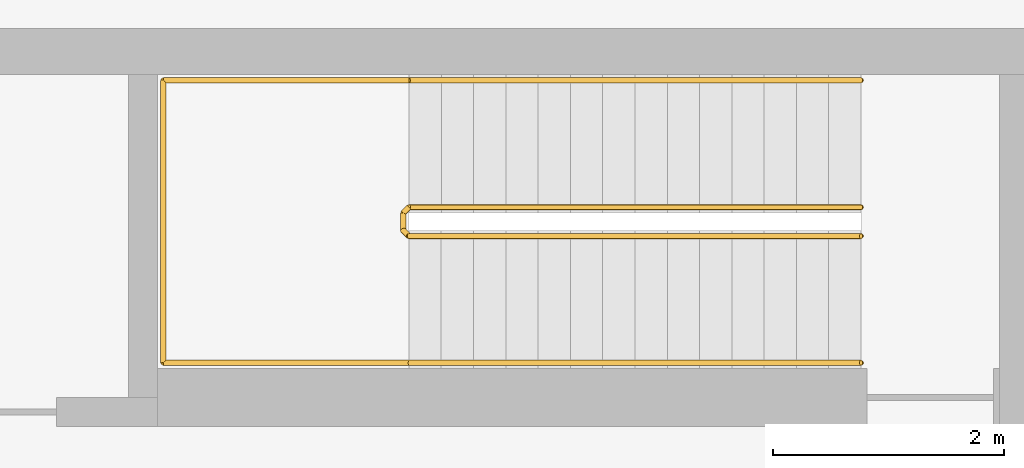
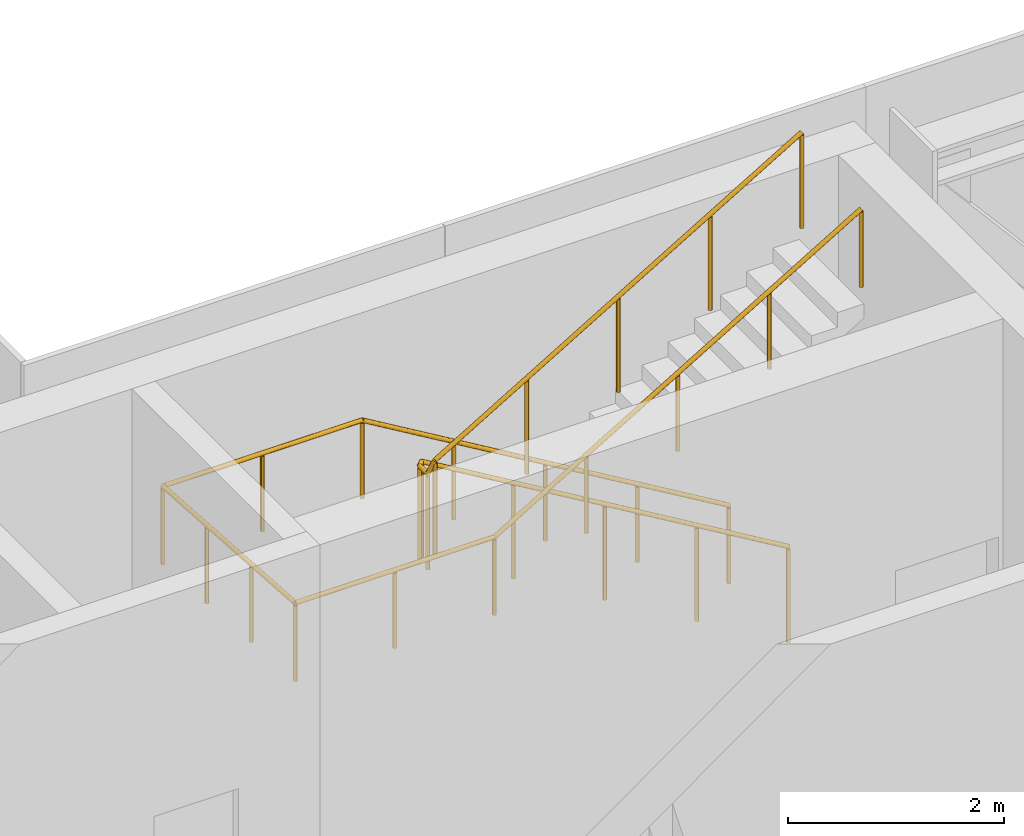
# One storey, part 18 of 18: 2 railings.
"""IFC4 building model written with IfcOpenShell, lengths in metres."""

from ifc_helpers import new_model, si_unit, direction, frame, origin, origin_2d, place, context, subcontext, project, spatial, circle, extrude, material, type_object, element, save


model = new_model("IFC4")

# Units and contexts
model_context = context("Model", 3, precision=1e-05, world=origin(), true_north=direction((0.0, 1.0)))
body_context = subcontext(model_context, "Body", "Model", "MODEL_VIEW")
ifc_project = project(units=[si_unit("LENGTHUNIT", "METRE"), si_unit("AREAUNIT", "SQUARE_METRE"), si_unit("VOLUMEUNIT", "CUBIC_METRE"), si_unit("PLANEANGLEUNIT", "RADIAN"), si_unit("MASSUNIT", "GRAM", prefix="KILO")], contexts=[model_context])

# Site, building, storey
site_placement = place(None, origin())
site = spatial("IfcSite", under=ifc_project, at=site_placement, CompositionType="ELEMENT")
building_placement = place(site_placement, origin())
building = spatial("IfcBuilding", under=site, at=building_placement, Name="Shamsa Quay Exchange Towers", CompositionType="ELEMENT")
storey_placement = place(building_placement, frame((0.0, 0.0, 273.300048828125)))
storey = spatial("IfcBuildingStorey", under=building, at=storey_placement, Name="L66", CompositionType="ELEMENT", Elevation=273.300048828125)

# Railings
ifc_material = material(Name="Stainless steel", Category="steel")
railing_type_1 = type_object("IfcRailingType", Name="STAIR GUARD 1100", PredefinedType="GUARDRAIL", material=ifc_material)
railing_1_placement = place(storey_placement, frame((52.10009765625, 4.89990234375, 0.16650390625)))
element("IfcRailing", 1, at=railing_1_placement, inside=storey, type_object=railing_type_1, Name="L66 ST6 stair guard 1", PredefinedType="GUARDRAIL", context=body_context, shape_type="SweptSolid", body=[
    extrude(circle(Radius=0.02392578125, at=origin_2d()), frame((0.0, 0.0, 1.076171875), z_axis=(-0.859286724212, 0.0, 0.511494208758), x_axis=(0.0, -1.0, 0.0)), (0.0, 0.0, 1.0), 4.56201171875),
    extrude(circle(Radius=0.02392578125, at=origin_2d()), frame((-3.920166015625, 0.0, 3.40966796875), z_axis=(-0.708833529934, -0.705375805398, 0.0), x_axis=(0.705375805398, -0.708833529934, 0.0)), (0.0, 0.0, 1.0), 0.070556640625),
    extrude(circle(Radius=0.02392578125, at=origin_2d()), frame((-3.97021484375, -0.0498046875, 3.40966796875), z_axis=(0.0, -1.0, 0.0), x_axis=(1.0, 0.0, 0.0)), (0.0, 0.0, 1.0), 0.150146484375),
    extrude(circle(Radius=0.02392578125, at=origin_2d()), frame((-3.97021484375, -0.199951171875, 3.40966796875), z_axis=(0.27662974545, -0.27662974545, 0.920299933644), x_axis=(0.707106781187, 0.707106781187, 0.0)), (0.0, 0.0, 1.0), 0.180908203125),
    extrude(circle(Radius=0.02392578125, at=origin_2d()), frame((-3.920166015625, -0.25, 3.576171875), z_axis=(0.859286724212, 0.0, 0.511494208758), x_axis=(0.0, 1.0, 0.0)), (0.0, 0.0, 1.0), 4.56201171875),
    extrude(circle(Radius=0.02099609375, at=origin_2d()), origin(), (0.0, 0.0, 1.0), 1.052001953125),
    extrude(circle(Radius=0.02099609375, at=origin_2d()), frame((-0.97998046875, 0.0, 0.58349609375)), (0.0, 0.0, 1.0), 1.052001953125),
    extrude(circle(Radius=0.02099609375, at=origin_2d()), frame((-1.9599609375, 0.0, 1.166748046875)), (0.0, 0.0, 1.0), 1.052001953125),
    extrude(circle(Radius=0.02099609375, at=origin_2d()), frame((-2.940185546875, 0.0, 1.75)), (0.0, 0.0, 1.0), 1.052001953125),
    extrude(circle(Radius=0.02099609375, at=origin_2d()), frame((-3.920166015625, 0.0, 2.33349609375)), (0.0, 0.0, 1.0), 1.052001953125),
    extrude(circle(Radius=0.02099609375, at=origin_2d()), frame((-3.97021484375, -0.0498046875, 2.33349609375)), (0.0, 0.0, 1.0), 1.052001953125),
    extrude(circle(Radius=0.02099609375, at=origin_2d()), frame((-3.97021484375, -0.199951171875, 2.33349609375)), (0.0, 0.0, 1.0), 1.052001953125),
    extrude(circle(Radius=0.02099609375, at=origin_2d()), frame((-3.920166015625, -0.25, 2.5)), (0.0, 0.0, 1.0), 1.052001953125),
    extrude(circle(Radius=0.02099609375, at=origin_2d()), frame((-2.940185546875, -0.25, 3.08349609375)), (0.0, 0.0, 1.0), 1.052001953125),
    extrude(circle(Radius=0.02099609375, at=origin_2d()), frame((-1.9599609375, -0.25, 3.666748046875)), (0.0, 0.0, 1.0), 1.052001953125),
    extrude(circle(Radius=0.02099609375, at=origin_2d()), frame((-0.97998046875, -0.25, 4.25)), (0.0, 0.0, 1.0), 1.052001953125),
    extrude(circle(Radius=0.02099609375, at=origin_2d()), frame((0.0, -0.25, 4.83349609375)), (0.0, 0.0, 1.0), 1.052001953125),
])
railing_type_2 = type_object("IfcRailingType", Name="STAIR HANDRAIL 900", PredefinedType="HANDRAIL", material=ifc_material)
railing_2_placement = place(storey_placement, frame((52.10009765625, 6.0, 0.16650390625)))
element("IfcRailing", 2, at=railing_2_placement, inside=storey, type_object=railing_type_2, Name="L66 ST6 stair handrail 1", PredefinedType="HANDRAIL", context=body_context, shape_type="SweptSolid", body=[
    extrude(circle(Radius=0.02392578125, at=origin_2d()), frame((0.0, 0.0, 0.8759765625), z_axis=(-0.859286724212, 0.0, 0.511494208758), x_axis=(0.0, -1.0, 0.0)), (0.0, 0.0, 1.0), 4.56201171875),
    extrude(circle(Radius=0.02392578125, at=origin_2d()), frame((-3.920166015625, 0.0, 3.20947265625), z_axis=(-1.0, 0.0, 0.0), x_axis=(0.0, -1.0, 0.0)), (0.0, 0.0, 1.0), 2.1298828125),
    extrude(circle(Radius=0.02392578125, at=origin_2d()), frame((-6.050048828125, 0.0, 3.20947265625), z_axis=(0.0, -0.997698543772, 0.067805720663), x_axis=(1.0, 0.0, 0.0)), (0.0, 0.0, 1.0), 2.45556640625),
    extrude(circle(Radius=0.02392578125, at=origin_2d()), frame((-6.050048828125, -2.449951171875, 3.3759765625), z_axis=(1.0, 0.0, 0.0), x_axis=(0.0, 1.0, 0.0)), (0.0, 0.0, 1.0), 2.1298828125),
    extrude(circle(Radius=0.02392578125, at=origin_2d()), frame((-3.920166015625, -2.449951171875, 3.3759765625), z_axis=(0.859286724212, 0.0, 0.511494208758), x_axis=(0.0, 1.0, 0.0)), (0.0, 0.0, 1.0), 4.56201171875),
    extrude(circle(Radius=0.02099609375, at=origin_2d()), origin(), (0.0, 0.0, 1.0), 0.851806640625),
    extrude(circle(Radius=0.02099609375, at=origin_2d()), frame((-0.97998046875, 0.0, 0.58349609375)), (0.0, 0.0, 1.0), 0.851806640625),
    extrude(circle(Radius=0.02099609375, at=origin_2d()), frame((-1.9599609375, 0.0, 1.166748046875)), (0.0, 0.0, 1.0), 0.851806640625),
    extrude(circle(Radius=0.02099609375, at=origin_2d()), frame((-2.940185546875, 0.0, 1.75)), (0.0, 0.0, 1.0), 0.851806640625),
    extrude(circle(Radius=0.02099609375, at=origin_2d()), frame((-3.920166015625, 0.0, 2.33349609375)), (0.0, 0.0, 1.0), 0.851806640625),
    extrude(circle(Radius=0.02099609375, at=origin_2d()), frame((-4.985107421875, 0.0, 2.33349609375)), (0.0, 0.0, 1.0), 0.851806640625),
    extrude(circle(Radius=0.02099609375, at=origin_2d()), frame((-6.050048828125, 0.0, 2.33349609375)), (0.0, 0.0, 1.0), 0.851806640625),
    extrude(circle(Radius=0.02099609375, at=origin_2d()), frame((-6.050048828125, -0.816650390625, 2.388916015625)), (0.0, 0.0, 1.0), 0.851806640625),
    extrude(circle(Radius=0.02099609375, at=origin_2d()), frame((-6.050048828125, -1.63330078125, 2.444580078125)), (0.0, 0.0, 1.0), 0.851806640625),
    extrude(circle(Radius=0.02099609375, at=origin_2d()), frame((-6.050048828125, -2.449951171875, 2.5)), (0.0, 0.0, 1.0), 0.851806640625),
    extrude(circle(Radius=0.02099609375, at=origin_2d()), frame((-4.985107421875, -2.449951171875, 2.5)), (0.0, 0.0, 1.0), 0.851806640625),
    extrude(circle(Radius=0.02099609375, at=origin_2d()), frame((-3.920166015625, -2.449951171875, 2.5)), (0.0, 0.0, 1.0), 0.851806640625),
    extrude(circle(Radius=0.02099609375, at=origin_2d()), frame((-2.940185546875, -2.449951171875, 3.08349609375)), (0.0, 0.0, 1.0), 0.851806640625),
    extrude(circle(Radius=0.02099609375, at=origin_2d()), frame((-1.9599609375, -2.449951171875, 3.666748046875)), (0.0, 0.0, 1.0), 0.851806640625),
    extrude(circle(Radius=0.02099609375, at=origin_2d()), frame((-0.97998046875, -2.449951171875, 4.25)), (0.0, 0.0, 1.0), 0.851806640625),
    extrude(circle(Radius=0.02099609375, at=origin_2d()), frame((0.0, -2.449951171875, 4.83349609375)), (0.0, 0.0, 1.0), 0.851806640625),
])

save(model, "model.ifc")
